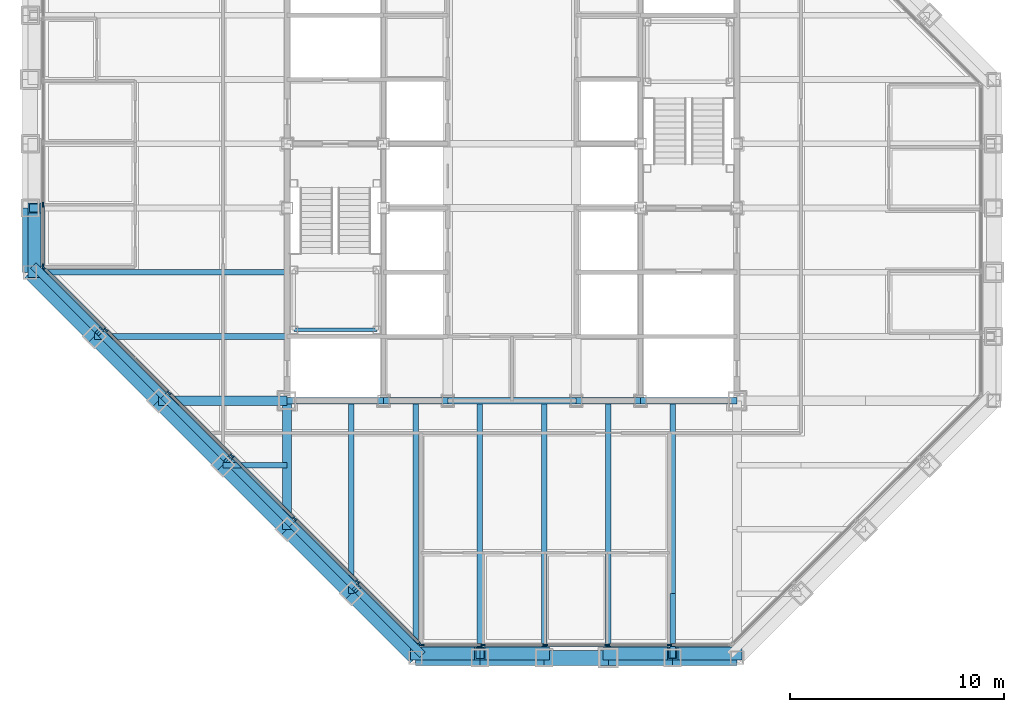
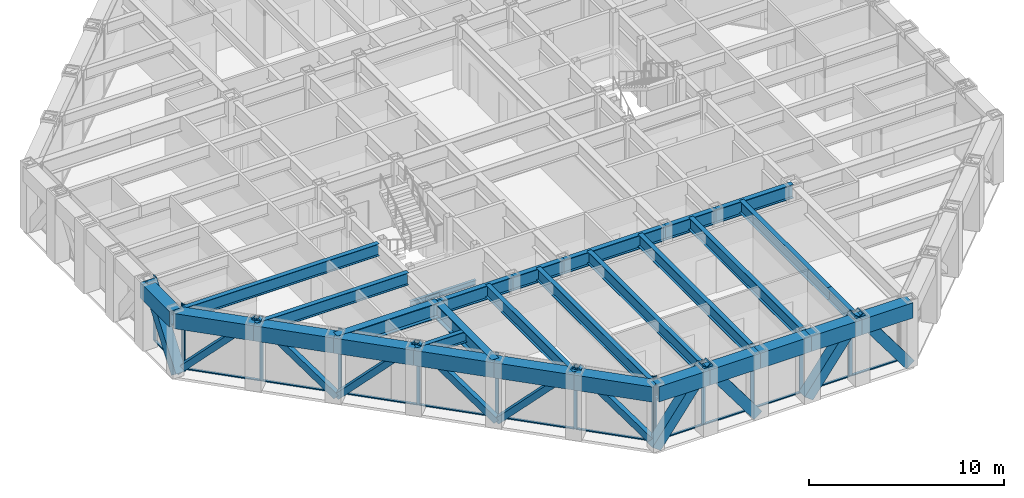
# One storey, part 5 of 16: 37 members, 30 beams, 3 elements without a shape of their own.
"""IFC4 building model written with IfcOpenShell, lengths in metres."""

from ifc_helpers import new_model, si_unit, direction, frame, origin, origin_2d, place, context, subcontext, project, spatial, rectangle, hollow_rectangle, i_section, extrude, material, layer, layer_set, material_profile, profile_set, type_object, element, aggregate, save


model = new_model("IFC4")

# Units and contexts
model_context = context("Model", 3, precision=1e-05, world=origin(), true_north=direction((0.0, 1.0)))
body_context = subcontext(model_context, "Body", "Model", "MODEL_VIEW")
ifc_project = project(units=[si_unit("LENGTHUNIT", "METRE"), si_unit("AREAUNIT", "SQUARE_METRE"), si_unit("VOLUMEUNIT", "CUBIC_METRE"), si_unit("PLANEANGLEUNIT", "RADIAN"), si_unit("MASSUNIT", "GRAM", prefix="KILO")], contexts=[model_context])

# Site, building, storey
site_placement = place(None, origin())
site = spatial("IfcSite", under=ifc_project, at=site_placement, CompositionType="ELEMENT")
building_placement = place(site_placement, origin())
building = spatial("IfcBuilding", under=site, at=building_placement, Name="Chuquiago Exchange Tower", CompositionType="ELEMENT")
storey_placement = place(building_placement, frame((0.0, 0.0, 247.5)))
storey = spatial("IfcBuildingStorey", under=building, at=storey_placement, Name="L55", CompositionType="ELEMENT", Elevation=247.5)

# Beams
ifc_material_1 = material(Name="Steel ASTM A992", Category="steel")
ifc_material_profile_1 = material_profile(ifc_material_1, i_section(OverallWidth=0.2919921875, OverallDepth=0.8583984375, WebThickness=0.01708984375, FlangeThickness=0.031005859375, at=origin_2d()), Name="W33X169")
ifc_profile_set_1 = profile_set([ifc_material_profile_1], Name="Steel ASTM A992")
beam_type_1 = type_object("IfcBeamType", Name="B3 W33X169", PredefinedType="BEAM", material=ifc_profile_set_1)
beam_1_placement = place(storey_placement, frame((12.0, 12.0, 3.610595703125), z_axis=(1.0, 0.0, 0.0), x_axis=(0.0, 1.0, 0.0)))
element("IfcBeam", 1, at=beam_1_placement, inside=storey, type_object=beam_type_1, Name="CB-L56-12_12-16.5_12", PredefinedType="BEAM", context=body_context, shape_type="SweptSolid", body=[
    extrude(i_section(OverallWidth=0.2919921875, OverallDepth=0.8583984375, WebThickness=0.01708984375, FlangeThickness=0.031005859375, at=origin_2d()), origin(), (0.0, 0.0, 1.0), 4.5),
])
beam_2_placement = place(storey_placement, frame((16.5, 12.0, 3.610595703125), z_axis=(1.0, 0.0, 0.0), x_axis=(0.0, 1.0, 0.0)))
element("IfcBeam", 2, at=beam_2_placement, inside=storey, type_object=beam_type_1, Name="CB-L56-16.5_12-19.5_12", PredefinedType="BEAM", context=body_context, shape_type="SweptSolid", body=[
    extrude(i_section(OverallWidth=0.2919921875, OverallDepth=0.8583984375, WebThickness=0.01708984375, FlangeThickness=0.031005859375, at=origin_2d()), origin(), (0.0, 0.0, 1.0), 3.0),
])
beam_3_placement = place(storey_placement, frame((19.5, 12.0, 3.610595703125), z_axis=(1.0, 0.0, 0.0), x_axis=(0.0, 1.0, 0.0)))
element("IfcBeam", 3, at=beam_3_placement, inside=storey, type_object=beam_type_1, Name="CB-L56-19.5_12-25.5_12", PredefinedType="BEAM", context=body_context, shape_type="SweptSolid", body=[
    extrude(i_section(OverallWidth=0.2919921875, OverallDepth=0.8583984375, WebThickness=0.01708984375, FlangeThickness=0.031005859375, at=origin_2d()), origin(), (0.0, 0.0, 1.0), 6.0),
])
beam_4_placement = place(storey_placement, frame((25.5, 12.0, 3.610595703125), z_axis=(1.0, 0.0, 0.0), x_axis=(0.0, 1.0, 0.0)))
element("IfcBeam", 4, at=beam_4_placement, inside=storey, type_object=beam_type_1, Name="CB-L56-25.5_12-28.5_12", PredefinedType="BEAM", context=body_context, shape_type="SweptSolid", body=[
    extrude(i_section(OverallWidth=0.2919921875, OverallDepth=0.8583984375, WebThickness=0.01708984375, FlangeThickness=0.031005859375, at=origin_2d()), origin(), (0.0, 0.0, 1.0), 3.0),
])
beam_5_placement = place(storey_placement, frame((28.5, 12.0, 3.610595703125), z_axis=(1.0, 0.0, 0.0), x_axis=(0.0, 1.0, 0.0)))
element("IfcBeam", 5, at=beam_5_placement, inside=storey, type_object=beam_type_1, Name="CB-L56-28.5_12-33_12", PredefinedType="BEAM", context=body_context, shape_type="SweptSolid", body=[
    extrude(i_section(OverallWidth=0.2919921875, OverallDepth=0.8583984375, WebThickness=0.01708984375, FlangeThickness=0.031005859375, at=origin_2d()), origin(), (0.0, 0.0, 1.0), 4.5),
])
ifc_material_2 = material(Name="Steel ASTM A992", Category="steel")
ifc_material_profile_2 = material_profile(ifc_material_2, i_section(OverallWidth=0.2666015625, OverallDepth=0.761962890625, WebThickness=0.014404296875, FlangeThickness=0.021484375, at=origin_2d()), Name="W30X116")
ifc_profile_set_2 = profile_set([ifc_material_profile_2], Name="Steel ASTM A992")
beam_type_2 = type_object("IfcBeamType", Name="B8 W30X116", PredefinedType="BEAM", material=ifc_profile_set_2)
beam_6_placement = place(storey_placement, frame((15.0, 12.0, 3.658935546875), z_axis=(0.0, -1.0, 0.0), x_axis=(1.0, 0.0, 0.0)))
element("IfcBeam", 6, at=beam_6_placement, inside=storey, type_object=beam_type_2, Name="FB-L56-infill-15_12-15_3-0", PredefinedType="BEAM", context=body_context, shape_type="SweptSolid", body=[
    extrude(i_section(OverallWidth=0.2666015625, OverallDepth=0.761962890625, WebThickness=0.014404296875, FlangeThickness=0.021484375, at=origin_2d()), origin(), (0.0, 0.0, 1.0), 9.0),
])
for number, where, z_axis, x_axis, name in (
    (7, (18.0, 12.0, 3.658935546875), (0.0, -1.0, 0.0), (1.0, 0.0, 0.0), "FB-L56-infill-18_12-18_-0-0"),
    (8, (21.0, 12.0, 3.658935546875), (0.0, -1.0, 0.0), (1.0, 0.0, 0.0), "FB-L56-infill-21_12-21_-0-0"),
    (9, (24.0, 12.0, 3.658935546875), (0.0, -1.0, 0.0), (1.0, 0.0, 0.0), "FB-L56-infill-24_12-24_-0-0"),
    (10, (27.0, 12.0, 3.658935546875), (0.0, -1.0, 0.0), (1.0, 0.0, 0.0), "FB-L56-infill-27_12-27_-0-0"),
):
    element("IfcBeam", number, at=place(storey_placement, frame(where, z_axis=z_axis, x_axis=x_axis)), inside=storey, type_object=beam_type_2, Name=name, PredefinedType="BEAM", context=body_context, shape_type="SweptSolid", body=[
        extrude(i_section(OverallWidth=0.2666015625, OverallDepth=0.761962890625, WebThickness=0.014404296875, FlangeThickness=0.021484375, at=origin_2d()), origin(), (0.0, 0.0, 1.0), 12.0),
    ])
beam_7_placement = place(storey_placement, frame((30.0, 12.0, 3.658935546875), z_axis=(0.0, -1.0, 0.0), x_axis=(1.0, 0.0, 0.0)))
element("IfcBeam", 11, at=beam_7_placement, inside=storey, type_object=beam_type_2, Name="FB-L56-infill-30_12-30_-0-0", PredefinedType="BEAM", context=body_context, shape_type="SweptSolid", body=[
    extrude(i_section(OverallWidth=0.2666015625, OverallDepth=0.761962890625, WebThickness=0.014404296875, FlangeThickness=0.021484375, at=origin_2d()), origin(), (0.0, 0.0, 1.0), 9.0),
])
beam_8_placement = place(storey_placement, frame((30.0, 3.0, 3.658935546875), z_axis=(0.0, -1.0, 0.0), x_axis=(1.0, 0.0, 0.0)))
element("IfcBeam", 12, at=beam_8_placement, inside=storey, type_object=beam_type_2, Name="FB-L56-infill-30_12-30_-0-1", PredefinedType="BEAM", context=body_context, shape_type="SweptSolid", body=[
    extrude(i_section(OverallWidth=0.2666015625, OverallDepth=0.761962890625, WebThickness=0.014404296875, FlangeThickness=0.021484375, at=origin_2d()), origin(), (0.0, 0.0, 1.0), 3.0),
])
beam_9_placement = place(storey_placement, frame((12.0, 15.0, 3.658935546875), z_axis=(-1.0, 0.0, 0.0), x_axis=(0.0, -1.0, 0.0)))
element("IfcBeam", 13, at=beam_9_placement, inside=storey, type_object=beam_type_2, Name="FB-L56-infill-12_15-3_15-0", PredefinedType="BEAM", context=body_context, shape_type="SweptSolid", body=[
    extrude(i_section(OverallWidth=0.2666015625, OverallDepth=0.761962890625, WebThickness=0.014404296875, FlangeThickness=0.021484375, at=origin_2d()), origin(), (0.0, 0.0, 1.0), 9.0),
])
beam_10_placement = place(storey_placement, frame((12.0, 18.0, 3.658935546875), z_axis=(-1.0, 0.0, 0.0), x_axis=(0.0, -1.0, 0.0)))
element("IfcBeam", 14, at=beam_10_placement, inside=storey, type_object=beam_type_2, Name="FB-L56-infill-12_18--0_18-0", PredefinedType="BEAM", context=body_context, shape_type="SweptSolid", body=[
    extrude(i_section(OverallWidth=0.2666015625, OverallDepth=0.761962890625, WebThickness=0.014404296875, FlangeThickness=0.021484375, at=origin_2d()), origin(), (0.0, 0.0, 1.0), 12.0),
])
ifc_material_3 = material(Name="Steel ASTM A992", Category="steel")
ifc_material_profile_3 = material_profile(ifc_material_3, i_section(OverallWidth=0.256591796875, OverallDepth=0.693359375, WebThickness=0.014404296875, FlangeThickness=0.023681640625, at=origin_2d()), Name="W27X114")
ifc_profile_set_3 = profile_set([ifc_material_profile_3], Name="Steel ASTM A992")
beam_type_3 = type_object("IfcBeamType", Name="B9 W27X114", PredefinedType="BEAM", material=ifc_profile_set_3)
beam_11_placement = place(storey_placement, frame((12.0, 9.0, 3.693359375), z_axis=(-1.0, 0.0, 0.0), x_axis=(0.0, -1.0, 0.0)))
element("IfcBeam", 15, at=beam_11_placement, inside=storey, type_object=beam_type_3, Name="FB-L56-corner-12_9-9_9-0", PredefinedType="BEAM", context=body_context, shape_type="SweptSolid", body=[
    extrude(i_section(OverallWidth=0.256591796875, OverallDepth=0.693359375, WebThickness=0.014404296875, FlangeThickness=0.023681640625, at=origin_2d()), origin(), (0.0, 0.0, 1.0), 3.0),
])

# Curtain wall, members
ifc_material_4 = material(Name="Aluminium curtain wall system", Category="aluminium")
ifc_layer_1 = layer(ifc_material_4, 0.22509765625)
ifc_layer_set_1 = layer_set([ifc_layer_1], Name="CW2 office curtain wall")
curtain_wall_type_1 = type_object("IfcCurtainWallType", Name="CW2 office curtain wall", PredefinedType="NOTDEFINED", material=ifc_layer_set_1)
curtain_wall_1_placement = place(storey_placement, origin())
curtain_wall_1 = element("IfcCurtainWall", 16, at=curtain_wall_1_placement, inside=storey, type_object=curtain_wall_type_1, Name="CW2 curtain wall L55", PredefinedType="NOTDEFINED")
ifc_material_5 = material(Name="Aluminium mullion, pale anodised", Category="aluminium")
ifc_material_profile_4 = material_profile(ifc_material_5, rectangle(XDim=0.06494140625, YDim=0.22509765625, at=origin_2d()), Name="AL 65x225")
ifc_profile_set_4 = profile_set([ifc_material_profile_4], Name="Aluminium mullion, pale anodised")
member_type_1 = type_object("IfcMemberType", Name="CW2-M mullion 65x225", PredefinedType="MULLION", material=ifc_profile_set_4)
member_1_placement = place(storey_placement, frame((18.281005859375, 0.60009765625, 0.0), z_axis=(0.0, 0.0, 1.0), x_axis=(0.0, 1.0, 0.0)))
member_1 = element("IfcMember", 17, at=member_1_placement, type_object=member_type_1, Name="CW2 mullion 1", PredefinedType="MULLION", context=body_context, shape_type="SweptSolid", body=[
    extrude(rectangle(XDim=0.06494140625, YDim=0.22509765625, at=origin_2d()), origin(), (0.0, 0.0, 1.0), 4.0400390625),
])
member_2_placement = place(storey_placement, frame((21.149169921875, 0.60009765625, 0.0), z_axis=(0.0, 0.0, 1.0), x_axis=(0.0, 1.0, 0.0)))
member_2 = element("IfcMember", 18, at=member_2_placement, type_object=member_type_1, Name="CW2 mullion 2", PredefinedType="MULLION", context=body_context, shape_type="SweptSolid", body=[
    extrude(rectangle(XDim=0.06494140625, YDim=0.22509765625, at=origin_2d()), origin(), (0.0, 0.0, 1.0), 4.0400390625),
])
member_3_placement = place(storey_placement, frame((24.0498046875, 0.60009765625, 0.0), z_axis=(0.0, 0.0, 1.0), x_axis=(0.0, 1.0, 0.0)))
member_3 = element("IfcMember", 19, at=member_3_placement, type_object=member_type_1, Name="CW2 mullion 3", PredefinedType="MULLION", context=body_context, shape_type="SweptSolid", body=[
    extrude(rectangle(XDim=0.06494140625, YDim=0.22509765625, at=origin_2d()), origin(), (0.0, 0.0, 1.0), 4.0400390625),
])
member_4_placement = place(storey_placement, frame((26.9501953125, 0.60009765625, 0.0), z_axis=(0.0, 0.0, 1.0), x_axis=(0.0, 1.0, 0.0)))
member_4 = element("IfcMember", 20, at=member_4_placement, type_object=member_type_1, Name="CW2 mullion 4", PredefinedType="MULLION", context=body_context, shape_type="SweptSolid", body=[
    extrude(rectangle(XDim=0.06494140625, YDim=0.22509765625, at=origin_2d()), origin(), (0.0, 0.0, 1.0), 4.0400390625),
])
member_5_placement = place(storey_placement, frame((29.850830078125, 0.60009765625, 0.0), z_axis=(0.0, 0.0, 1.0), x_axis=(0.0, 1.0, 0.0)))
member_5 = element("IfcMember", 21, at=member_5_placement, type_object=member_type_1, Name="CW2 mullion 5", PredefinedType="MULLION", context=body_context, shape_type="SweptSolid", body=[
    extrude(rectangle(XDim=0.06494140625, YDim=0.22509765625, at=origin_2d()), origin(), (0.0, 0.0, 1.0), 4.0400390625),
])

curtain_wall_2_placement = place(storey_placement, origin())
curtain_wall_2 = element("IfcCurtainWall", 22, at=curtain_wall_2_placement, inside=storey, type_object=curtain_wall_type_1, Name="CW2 curtain wall L55", PredefinedType="NOTDEFINED")
member_6_placement = place(storey_placement, frame((0.60009765625, 21.149169921875, 0.0), z_axis=(0.0, 0.0, 1.0), x_axis=(1.0, 0.0, 0.0)))
member_6 = element("IfcMember", 23, at=member_6_placement, type_object=member_type_1, Name="CW2 mullion 5", PredefinedType="MULLION", context=body_context, shape_type="SweptSolid", body=[
    extrude(rectangle(XDim=0.06494140625, YDim=0.22509765625, at=origin_2d()), origin(), (0.0, 0.0, 1.0), 4.0400390625),
])
member_7_placement = place(storey_placement, frame((0.60009765625, 18.281005859375, 0.0), z_axis=(0.0, 0.0, 1.0), x_axis=(1.0, 0.0, 0.0)))
member_7 = element("IfcMember", 24, at=member_7_placement, type_object=member_type_1, Name="CW2 mullion 6", PredefinedType="MULLION", context=body_context, shape_type="SweptSolid", body=[
    extrude(rectangle(XDim=0.06494140625, YDim=0.22509765625, at=origin_2d()), origin(), (0.0, 0.0, 1.0), 4.0400390625),
])

# Member
ifc_material_6 = material(Name="Aluminium transom, pale anodised", Category="aluminium")
ifc_material_profile_5 = material_profile(ifc_material_6, rectangle(XDim=0.139892578125, YDim=0.06494140625, at=origin_2d()), Name="AL 140x65")
ifc_profile_set_5 = profile_set([ifc_material_profile_5], Name="Aluminium transom, pale anodised")
member_type_2 = type_object("IfcMemberType", Name="CW2-T transom 65x140", PredefinedType="MULLION", material=ifc_profile_set_5)
member_8_placement = place(storey_placement, frame((18.3134765625, 0.60009765625, 0.032470703125), z_axis=(1.0, 0.0, 0.0), x_axis=(0.0, 1.0, 0.0)))
member_8 = element("IfcMember", 25, at=member_8_placement, type_object=member_type_2, Name="CW2 transom 1.1", PredefinedType="MULLION", context=body_context, shape_type="SweptSolid", body=[
    extrude(rectangle(XDim=0.139892578125, YDim=0.06494140625, at=origin_2d()), origin(), (0.0, 0.0, 1.0), 2.80322265625),
])

member_9_placement = place(storey_placement, frame((21.181640625, 0.60009765625, 0.032470703125), z_axis=(1.0, 0.0, 0.0), x_axis=(0.0, 1.0, 0.0)))
member_9 = element("IfcMember", 26, at=member_9_placement, type_object=member_type_2, Name="CW2 transom 2.1", PredefinedType="MULLION", context=body_context, shape_type="SweptSolid", body=[
    extrude(rectangle(XDim=0.139892578125, YDim=0.06494140625, at=origin_2d()), origin(), (0.0, 0.0, 1.0), 2.83544921875),
])

member_10_placement = place(storey_placement, frame((24.082275390625, 0.60009765625, 0.032470703125), z_axis=(1.0, 0.0, 0.0), x_axis=(0.0, 1.0, 0.0)))
member_10 = element("IfcMember", 27, at=member_10_placement, type_object=member_type_2, Name="CW2 transom 3.1", PredefinedType="MULLION", context=body_context, shape_type="SweptSolid", body=[
    extrude(rectangle(XDim=0.139892578125, YDim=0.06494140625, at=origin_2d()), origin(), (0.0, 0.0, 1.0), 2.83544921875),
])

member_11_placement = place(storey_placement, frame((26.98291015625, 0.60009765625, 0.032470703125), z_axis=(1.0, 0.0, 0.0), x_axis=(0.0, 1.0, 0.0)))
member_11 = element("IfcMember", 28, at=member_11_placement, type_object=member_type_2, Name="CW2 transom 4.1", PredefinedType="MULLION", context=body_context, shape_type="SweptSolid", body=[
    extrude(rectangle(XDim=0.139892578125, YDim=0.06494140625, at=origin_2d()), origin(), (0.0, 0.0, 1.0), 2.83544921875),
])

member_12_placement = place(storey_placement, frame((29.88330078125, 0.60009765625, 0.032470703125), z_axis=(1.0, 0.0, 0.0), x_axis=(0.0, 1.0, 0.0)))
member_12 = element("IfcMember", 29, at=member_12_placement, type_object=member_type_2, Name="CW2 transom 5.1", PredefinedType="MULLION", context=body_context, shape_type="SweptSolid", body=[
    extrude(rectangle(XDim=0.139892578125, YDim=0.06494140625, at=origin_2d()), origin(), (0.0, 0.0, 1.0), 2.80322265625),
])

aggregate(curtain_wall_1, [member_1, member_2, member_3, member_4, member_5, member_8, member_9, member_10, member_11, member_12])

member_13_placement = place(storey_placement, frame((0.60009765625, 21.11669921875, 0.032470703125), z_axis=(0.0, -1.0, 0.0), x_axis=(1.0, 0.0, 0.0)))
member_13 = element("IfcMember", 30, at=member_13_placement, type_object=member_type_2, Name="CW2 transom 5.1", PredefinedType="MULLION", context=body_context, shape_type="SweptSolid", body=[
    extrude(rectangle(XDim=0.139892578125, YDim=0.06494140625, at=origin_2d()), origin(), (0.0, 0.0, 1.0), 2.80322265625),
])

aggregate(curtain_wall_2, [member_6, member_7, member_13])

# Curtain wall, members
ifc_material_7 = material(Name="Aluminium curtain wall system", Category="aluminium")
ifc_layer_2 = layer(ifc_material_7, 0.199951171875)
ifc_layer_set_2 = layer_set([ifc_layer_2], Name="CW3 facet curtain wall")
curtain_wall_type_2 = type_object("IfcCurtainWallType", Name="CW3 facet curtain wall", PredefinedType="NOTDEFINED", material=ifc_layer_set_2)
curtain_wall_3_placement = place(storey_placement, origin())
curtain_wall_3 = element("IfcCurtainWall", 31, at=curtain_wall_3_placement, inside=storey, type_object=curtain_wall_type_2, Name="CW3 curtain wall L55", PredefinedType="NOTDEFINED")
ifc_material_8 = material(Name="Aluminium mullion, pale anodised", Category="aluminium")
ifc_material_profile_6 = material_profile(ifc_material_8, rectangle(XDim=0.06494140625, YDim=0.199951171875, at=origin_2d()), Name="AL 65x200")
ifc_profile_set_6 = profile_set([ifc_material_profile_6], Name="Aluminium mullion, pale anodised")
member_type_3 = type_object("IfcMemberType", Name="CW3-M mullion 65x200", PredefinedType="MULLION", material=ifc_profile_set_6)
member_14_placement = place(storey_placement, frame((0.623046875, 18.2255859375, 0.0), z_axis=(0.0, 0.0, 1.0), x_axis=(0.707106781187, 0.707106781187, 0.0)))
member_14 = element("IfcMember", 32, at=member_14_placement, type_object=member_type_3, Name="CW3 mullion 1", PredefinedType="MULLION", context=body_context, shape_type="SweptSolid", body=[
    extrude(rectangle(XDim=0.06494140625, YDim=0.199951171875, at=origin_2d()), origin(), (0.0, 0.0, 1.0), 4.0400390625),
])
member_15_placement = place(storey_placement, frame((3.54150390625, 15.30712890625, 0.0), z_axis=(0.0, 0.0, 1.0), x_axis=(0.707106781187, 0.707106781187, 0.0)))
member_15 = element("IfcMember", 33, at=member_15_placement, type_object=member_type_3, Name="CW3 mullion 2", PredefinedType="MULLION", context=body_context, shape_type="SweptSolid", body=[
    extrude(rectangle(XDim=0.06494140625, YDim=0.199951171875, at=origin_2d()), origin(), (0.0, 0.0, 1.0), 4.0400390625),
])
member_16_placement = place(storey_placement, frame((6.48291015625, 12.36572265625, 0.0), z_axis=(0.0, 0.0, 1.0), x_axis=(0.707106781187, 0.707106781187, 0.0)))
member_16 = element("IfcMember", 34, at=member_16_placement, type_object=member_type_3, Name="CW3 mullion 3", PredefinedType="MULLION", context=body_context, shape_type="SweptSolid", body=[
    extrude(rectangle(XDim=0.06494140625, YDim=0.199951171875, at=origin_2d()), origin(), (0.0, 0.0, 1.0), 4.0400390625),
])
member_17_placement = place(storey_placement, frame((9.42431640625, 9.42431640625, 0.0), z_axis=(0.0, 0.0, 1.0), x_axis=(0.707106781187, 0.707106781187, 0.0)))
member_17 = element("IfcMember", 35, at=member_17_placement, type_object=member_type_3, Name="CW3 mullion 4", PredefinedType="MULLION", context=body_context, shape_type="SweptSolid", body=[
    extrude(rectangle(XDim=0.06494140625, YDim=0.199951171875, at=origin_2d()), origin(), (0.0, 0.0, 1.0), 4.0400390625),
])
member_18_placement = place(storey_placement, frame((12.36572265625, 6.48291015625, 0.0), z_axis=(0.0, 0.0, 1.0), x_axis=(0.707106781187, 0.707106781187, 0.0)))
member_18 = element("IfcMember", 36, at=member_18_placement, type_object=member_type_3, Name="CW3 mullion 5", PredefinedType="MULLION", context=body_context, shape_type="SweptSolid", body=[
    extrude(rectangle(XDim=0.06494140625, YDim=0.199951171875, at=origin_2d()), origin(), (0.0, 0.0, 1.0), 4.0400390625),
])
member_19_placement = place(storey_placement, frame((15.30712890625, 3.54150390625, 0.0), z_axis=(0.0, 0.0, 1.0), x_axis=(0.707106781187, 0.707106781187, 0.0)))
member_19 = element("IfcMember", 37, at=member_19_placement, type_object=member_type_3, Name="CW3 mullion 6", PredefinedType="MULLION", context=body_context, shape_type="SweptSolid", body=[
    extrude(rectangle(XDim=0.06494140625, YDim=0.199951171875, at=origin_2d()), origin(), (0.0, 0.0, 1.0), 4.0400390625),
])
member_20_placement = place(storey_placement, frame((18.2255859375, 0.623046875, 0.0), z_axis=(0.0, 0.0, 1.0), x_axis=(0.707106781187, 0.707106781187, 0.0)))
member_20 = element("IfcMember", 38, at=member_20_placement, type_object=member_type_3, Name="CW3 mullion 7", PredefinedType="MULLION", context=body_context, shape_type="SweptSolid", body=[
    extrude(rectangle(XDim=0.06494140625, YDim=0.199951171875, at=origin_2d()), origin(), (0.0, 0.0, 1.0), 4.0400390625),
])
ifc_material_9 = material(Name="Aluminium transom, pale anodised", Category="aluminium")
ifc_material_profile_7 = material_profile(ifc_material_9, rectangle(XDim=0.139892578125, YDim=0.06494140625, at=origin_2d()), Name="AL 140x65")
ifc_profile_set_7 = profile_set([ifc_material_profile_7], Name="Aluminium transom, pale anodised")
member_type_4 = type_object("IfcMemberType", Name="CW3-T transom 65x140", PredefinedType="MULLION", material=ifc_profile_set_7)
member_21_placement = place(storey_placement, frame((0.64599609375, 18.20263671875, 0.032470703125), z_axis=(0.707106781187, -0.707106781187, 0.0), x_axis=(0.707106781187, 0.707106781187, 0.0)))
member_21 = element("IfcMember", 39, at=member_21_placement, type_object=member_type_4, Name="CW3 transom 1.1", PredefinedType="MULLION", context=body_context, shape_type="SweptSolid", body=[
    extrude(rectangle(XDim=0.139892578125, YDim=0.06494140625, at=origin_2d()), origin(), (0.0, 0.0, 1.0), 4.0625),
])
member_22_placement = place(storey_placement, frame((3.564453125, 15.2841796875, 0.032470703125), z_axis=(0.707106781187, -0.707106781187, 0.0), x_axis=(0.707106781187, 0.707106781187, 0.0)))
member_22 = element("IfcMember", 40, at=member_22_placement, type_object=member_type_4, Name="CW3 transom 2.1", PredefinedType="MULLION", context=body_context, shape_type="SweptSolid", body=[
    extrude(rectangle(XDim=0.139892578125, YDim=0.06494140625, at=origin_2d()), origin(), (0.0, 0.0, 1.0), 4.094970703125),
])
member_23_placement = place(storey_placement, frame((6.505859375, 12.3427734375, 0.032470703125), z_axis=(0.707106781187, -0.707106781187, 0.0), x_axis=(0.707106781187, 0.707106781187, 0.0)))
member_23 = element("IfcMember", 41, at=member_23_placement, type_object=member_type_4, Name="CW3 transom 3.1", PredefinedType="MULLION", context=body_context, shape_type="SweptSolid", body=[
    extrude(rectangle(XDim=0.139892578125, YDim=0.06494140625, at=origin_2d()), origin(), (0.0, 0.0, 1.0), 4.094970703125),
])
member_24_placement = place(storey_placement, frame((9.447265625, 9.4013671875, 0.032470703125), z_axis=(0.707106781187, -0.707106781187, 0.0), x_axis=(0.707106781187, 0.707106781187, 0.0)))
member_24 = element("IfcMember", 42, at=member_24_placement, type_object=member_type_4, Name="CW3 transom 4.1", PredefinedType="MULLION", context=body_context, shape_type="SweptSolid", body=[
    extrude(rectangle(XDim=0.139892578125, YDim=0.06494140625, at=origin_2d()), origin(), (0.0, 0.0, 1.0), 4.094970703125),
])
member_25_placement = place(storey_placement, frame((12.388671875, 6.4599609375, 0.032470703125), z_axis=(0.707106781187, -0.707106781187, 0.0), x_axis=(0.707106781187, 0.707106781187, 0.0)))
member_25 = element("IfcMember", 43, at=member_25_placement, type_object=member_type_4, Name="CW3 transom 5.1", PredefinedType="MULLION", context=body_context, shape_type="SweptSolid", body=[
    extrude(rectangle(XDim=0.139892578125, YDim=0.06494140625, at=origin_2d()), origin(), (0.0, 0.0, 1.0), 4.094970703125),
])
member_26_placement = place(storey_placement, frame((15.330078125, 3.5185546875, 0.032470703125), z_axis=(0.707106781187, -0.707106781187, 0.0), x_axis=(0.707106781187, 0.707106781187, 0.0)))
member_26 = element("IfcMember", 44, at=member_26_placement, type_object=member_type_4, Name="CW3 transom 6.1", PredefinedType="MULLION", context=body_context, shape_type="SweptSolid", body=[
    extrude(rectangle(XDim=0.139892578125, YDim=0.06494140625, at=origin_2d()), origin(), (0.0, 0.0, 1.0), 4.0625),
])
aggregate(curtain_wall_3, [member_14, member_15, member_16, member_17, member_18, member_19, member_20, member_21, member_22, member_23, member_24, member_25, member_26])

# Beams
ifc_material_10 = material(Name="Steel ASTM A992", Category="steel")
ifc_material_profile_8 = material_profile(ifc_material_10, i_section(OverallWidth=0.424072265625, OverallDepth=0.947509765625, WebThickness=0.02392578125, FlangeThickness=0.042724609375, at=origin_2d()), Name="W36X302")
ifc_profile_set_8 = profile_set([ifc_material_profile_8], Name="Steel ASTM A992")
beam_type_4 = type_object("IfcBeamType", Name="G4 W36X302", PredefinedType="BEAM", material=ifc_profile_set_8)
for number, where, z_axis, x_axis, name in (
    (45, (12.0, 12.0, 3.56640625), (0.0, -1.0, 0.0), (1.0, 0.0, 0.0), "FB-L56-girder-12_12-12_6-0"),
    (46, (12.0, 12.0, 3.56640625), (-1.0, 0.0, 0.0), (0.0, -1.0, 0.0), "FB-L56-girder-12_12-6_12-0"),
):
    element("IfcBeam", number, at=place(storey_placement, frame(where, z_axis=z_axis, x_axis=x_axis)), inside=storey, type_object=beam_type_4, Name=name, PredefinedType="BEAM", context=body_context, shape_type="SweptSolid", body=[
        extrude(i_section(OverallWidth=0.424072265625, OverallDepth=0.947509765625, WebThickness=0.02392578125, FlangeThickness=0.042724609375, at=origin_2d()), origin(), (0.0, 0.0, 1.0), 6.0),
    ])

# Members
ifc_material_11 = material(Name="Steel ASTM A500 Grade C", Category="steel")
ifc_material_profile_9 = material_profile(ifc_material_11, hollow_rectangle(XDim=0.355712890625, YDim=0.355712890625, WallThickness=0.0146484375, at=origin_2d()), Name="HSS14X14X5/8")
ifc_profile_set_9 = profile_set([ifc_material_profile_9], Name="Steel ASTM A500 Grade C")
member_type_5 = type_object("IfcMemberType", Name="LB2 HSS14X14X5/8", PredefinedType="BRACE", material=ifc_profile_set_9)
for number, where, z_axis, x_axis, name in (
    (47, (0.2314453125, 18.2314453125, 0.0), (0.512077265487, -0.512077265487, 0.689604051861), (0.707106781187, 0.707106781187, 0.0), "LB-L55-0_18-3_15"),
    (48, (6.2314453125, 12.2314453125, 0.0), (-0.512077265487, 0.512077265487, 0.689604051861), (-0.707106781187, -0.707106781187, 0.0), "LB-L55-3_15-6_12"),
    (49, (6.2314453125, 12.2314453125, 0.0), (0.512077265487, -0.512077265487, 0.689604051861), (0.707106781187, 0.707106781187, 0.0), "LB-L55-6_12-9_9"),
    (50, (12.2314453125, 6.2314453125, 0.0), (-0.512077265487, 0.512077265487, 0.689604051861), (-0.707106781187, -0.707106781187, 0.0), "LB-L55-9_9-12_6"),
    (51, (12.2314453125, 6.2314453125, 0.0), (0.512077265487, -0.512077265487, 0.689604051861), (0.707106781187, 0.707106781187, 0.0), "LB-L55-12_6-15_3"),
    (52, (18.2314453125, 0.2314453125, 0.0), (-0.512077265487, 0.512077265487, 0.689604051861), (-0.707106781187, -0.707106781187, 0.0), "LB-L55-15_3-18_0"),
):
    element("IfcMember", number, at=place(storey_placement, frame(where, z_axis=z_axis, x_axis=x_axis)), inside=storey, type_object=member_type_5, Name=name, PredefinedType="BRACE", context=body_context, shape_type="SweptSolid", body=[
        extrude(hollow_rectangle(XDim=0.355712890625, YDim=0.355712890625, WallThickness=0.0146484375, at=origin_2d()), origin(), (0.0, 0.0, 1.0), 5.8583984375),
    ])

# Beam
ifc_material_12 = material(Name="Steel ASTM A992", Category="steel")
ifc_material_profile_10 = material_profile(ifc_material_12, i_section(OverallWidth=0.164794921875, OverallDepth=0.309814453125, WebThickness=0.005859375, FlangeThickness=0.009765625, at=origin_2d()), Name="W12X26")
ifc_profile_set_10 = profile_set([ifc_material_profile_10], Name="Steel ASTM A992")
beam_type_5 = type_object("IfcBeamType", Name="LT1 W12X26", PredefinedType="BEAM", material=ifc_profile_set_10)
beam_12_placement = place(storey_placement, frame((12.31005859375, 15.31005859375, 1.7451171875), z_axis=(1.0, 0.0, 0.0), x_axis=(0.0, 1.0, 0.0)))
element("IfcBeam", 53, at=beam_12_placement, inside=storey, type_object=beam_type_5, Name="Stair ST1 L55 landing 1 trimmer", PredefinedType="BEAM", context=body_context, shape_type="SweptSolid", body=[
    extrude(i_section(OverallWidth=0.164794921875, OverallDepth=0.309814453125, WebThickness=0.005859375, FlangeThickness=0.009765625, at=origin_2d()), origin(), (0.0, 0.0, 1.0), 3.8798828125),
])

# Members
ifc_material_13 = material(Name="Steel ASTM A572 Grade 50", Category="steel")
ifc_material_profile_11 = material_profile(ifc_material_13, hollow_rectangle(XDim=0.60009765625, YDim=0.60009765625, WallThickness=0.06005859375, at=origin_2d()), Name="BOX600X600X60")
ifc_profile_set_11 = profile_set([ifc_material_profile_11], Name="Steel ASTM A572 Grade 50")
member_type_6 = type_object("IfcMemberType", Name="MB3 BOX600X600X60", PredefinedType="BRACE", material=ifc_profile_set_11)
for number, where, z_axis, x_axis, name in (
    (54, (18.0, 0.205078125, 0.0), (0.596173923302, 0.0, 0.802855312728), (0.0, 1.0, 0.0), "Mega diagonal L55 S face"),
    (55, (24.0, 0.205078125, 0.0), (-0.596173923302, 0.0, 0.802855312728), (0.0, -1.0, 0.0), "Mega diagonal L55 S face"),
    (56, (27.0, 0.205078125, 0.0), (0.596173923302, 0.0, 0.802855312728), (0.0, 1.0, 0.0), "Mega diagonal L55 S face"),
    (57, (33.0, 0.205078125, 0.0), (-0.596173923302, 0.0, 0.802855312728), (0.0, -1.0, 0.0), "Mega diagonal L55 S face"),
    (58, (0.205078125, 18.0, 0.0), (0.0, 0.596173923302, 0.802855312728), (-1.0, 0.0, 0.0), "Mega diagonal L55 W face"),
):
    element("IfcMember", number, at=place(storey_placement, frame(where, z_axis=z_axis, x_axis=x_axis)), inside=storey, type_object=member_type_6, Name=name, PredefinedType="BRACE", context=body_context, shape_type="SweptSolid", body=[
        extrude(hollow_rectangle(XDim=0.60009765625, YDim=0.60009765625, WallThickness=0.06005859375, at=origin_2d()), origin(), (0.0, 0.0, 1.0), 5.031982421875),
    ])

# Beams
ifc_material_14 = material(Name="Steel ASTM A572 Grade 50", Category="steel")
ifc_material_profile_12 = material_profile(ifc_material_14, hollow_rectangle(XDim=0.699951171875, YDim=0.949951171875, WallThickness=0.10009765625, at=origin_2d()), Name="BOX950X700X100")
ifc_profile_set_12 = profile_set([ifc_material_profile_12], Name="Steel ASTM A572 Grade 50")
beam_type_6 = type_object("IfcBeamType", Name="SP5 BOX950X700X100", PredefinedType="SPANDREL", material=ifc_profile_set_12)
for number, where, z_axis, x_axis, name in (
    (59, (18.0, 0.0, 3.56494140625), (1.0, 0.0, 0.0), (0.0, 1.0, 0.0), "SPB-L56-18_0-21_0"),
    (60, (21.0, 0.0, 3.56494140625), (1.0, 0.0, 0.0), (0.0, 1.0, 0.0), "SPB-L56-21_0-24_0"),
    (61, (24.0, 0.0, 3.56494140625), (1.0, 0.0, 0.0), (0.0, 1.0, 0.0), "SPB-L56-24_0-27_0"),
    (62, (27.0, 0.0, 3.56494140625), (1.0, 0.0, 0.0), (0.0, 1.0, 0.0), "SPB-L56-27_0-30_0"),
    (63, (30.0, 0.0, 3.56494140625), (1.0, 0.0, 0.0), (0.0, 1.0, 0.0), "SPB-L56-30_0-33_0"),
    (64, (0.0, 21.0, 3.56494140625), (0.0, -1.0, 0.0), (1.0, 0.0, 0.0), "SPB-L56-0_21-0_18"),
):
    element("IfcBeam", number, at=place(storey_placement, frame(where, z_axis=z_axis, x_axis=x_axis)), inside=storey, type_object=beam_type_6, Name=name, PredefinedType="SPANDREL", context=body_context, shape_type="SweptSolid", body=[
        extrude(hollow_rectangle(XDim=0.699951171875, YDim=0.949951171875, WallThickness=0.10009765625, at=origin_2d()), origin(), (0.0, 0.0, 1.0), 3.0),
    ])
for number, where, z_axis, x_axis, name in (
    (65, (0.0, 18.0, 3.56494140625), (0.707106781187, -0.707106781187, 0.0), (0.707106781187, 0.707106781187, 0.0), "SPB-L56-0_18-3_15"),
    (66, (3.0, 15.0, 3.56494140625), (0.707106781187, -0.707106781187, 0.0), (0.707106781187, 0.707106781187, 0.0), "SPB-L56-3_15-6_12"),
    (67, (6.0, 12.0, 3.56494140625), (0.707106781187, -0.707106781187, 0.0), (0.707106781187, 0.707106781187, 0.0), "SPB-L56-6_12-9_9"),
    (68, (9.0, 9.0, 3.56494140625), (0.707106781187, -0.707106781187, 0.0), (0.707106781187, 0.707106781187, 0.0), "SPB-L56-9_9-12_6"),
    (69, (12.0, 6.0, 3.56494140625), (0.707106781187, -0.707106781187, 0.0), (0.707106781187, 0.707106781187, 0.0), "SPB-L56-12_6-15_3"),
    (70, (15.0, 3.0, 3.56494140625), (0.707106781187, -0.707106781187, 0.0), (0.707106781187, 0.707106781187, 0.0), "SPB-L56-15_3-18_0"),
):
    element("IfcBeam", number, at=place(storey_placement, frame(where, z_axis=z_axis, x_axis=x_axis)), inside=storey, type_object=beam_type_6, Name=name, PredefinedType="SPANDREL", context=body_context, shape_type="SweptSolid", body=[
        extrude(hollow_rectangle(XDim=0.699951171875, YDim=0.949951171875, WallThickness=0.10009765625, at=origin_2d()), origin(), (0.0, 0.0, 1.0), 4.24267578125),
    ])

save(model, "model.ifc")
